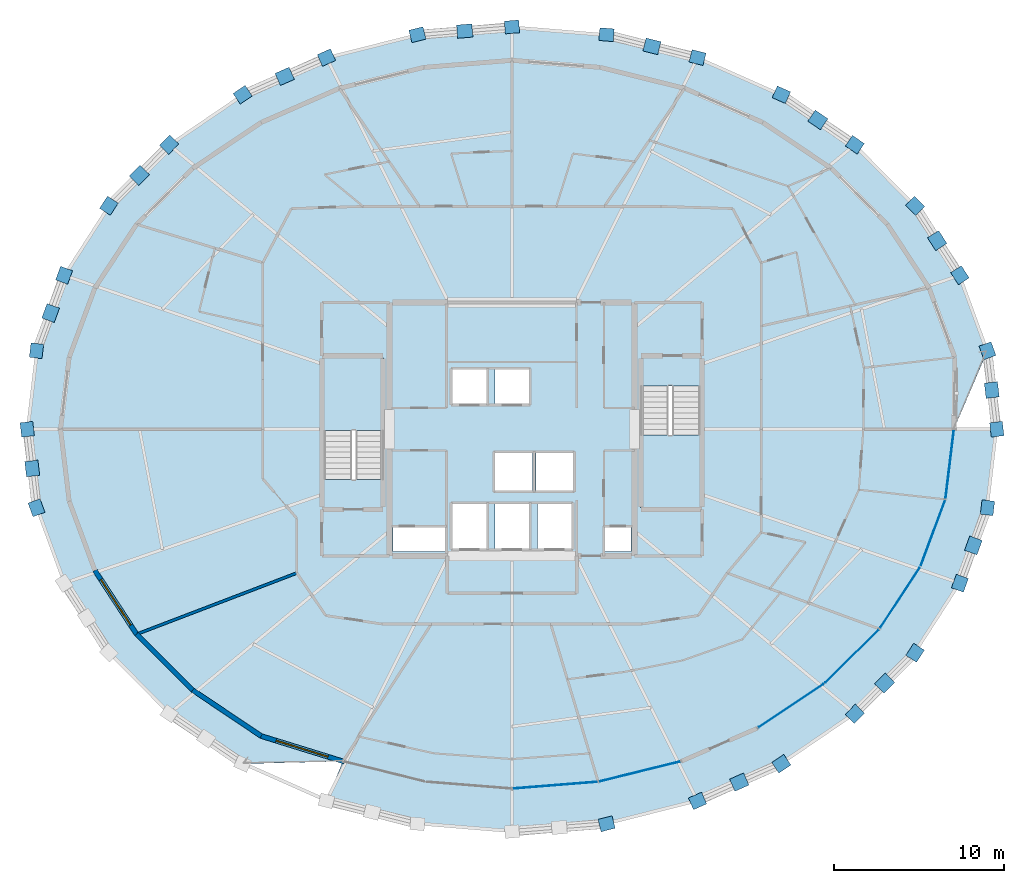
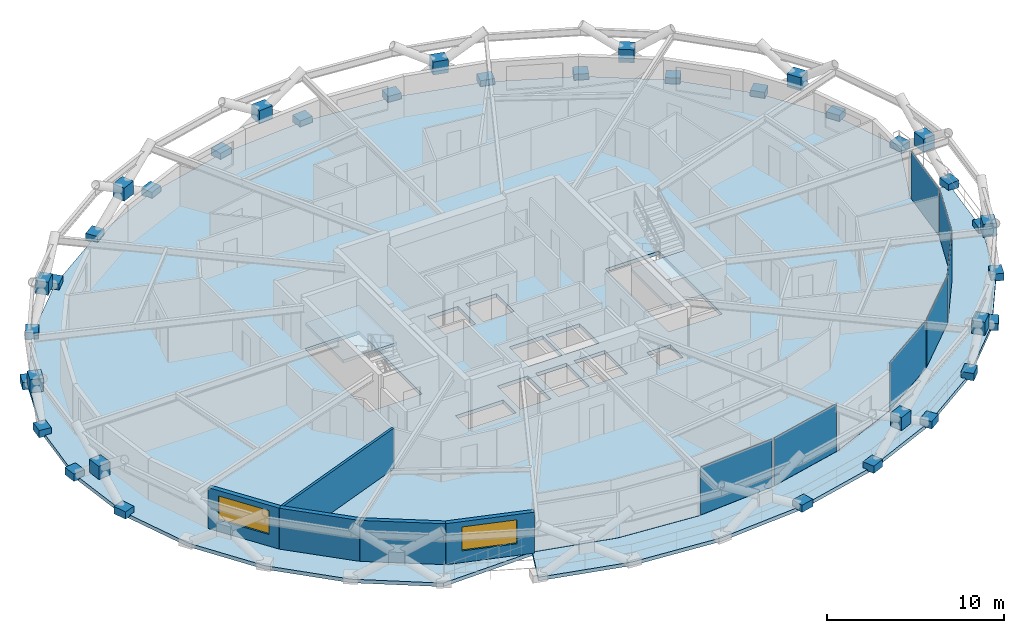
# One storey, part 13 of 21: 44 plates, 5 walls, 4 slabs, 2 windows, 2 openings, 4 elements without a shape of their own.
"""IFC4 building model written with IfcOpenShell, lengths in metres."""

from ifc_helpers import new_model, si_unit, direction, frame, frame_2d, origin, origin_2d, place, context, subcontext, project, spatial, polyline, rectangle, outline, extrude, material, layer, layer_set, type_object, element, fill, aggregate, save


model = new_model("IFC4")

# Units and contexts
model_context = context("Model", 3, precision=1e-05, world=origin(), true_north=direction((0.0, 1.0)))
body_context = subcontext(model_context, "Body", "Model", "MODEL_VIEW")
ifc_project = project(units=[si_unit("LENGTHUNIT", "METRE"), si_unit("AREAUNIT", "SQUARE_METRE"), si_unit("VOLUMEUNIT", "CUBIC_METRE"), si_unit("PLANEANGLEUNIT", "RADIAN"), si_unit("MASSUNIT", "GRAM", prefix="KILO")], contexts=[model_context])

# Site, building, storey
site_placement = place(None, origin())
site = spatial("IfcSite", under=ifc_project, at=site_placement, CompositionType="ELEMENT")
building_placement = place(site_placement, origin())
building = spatial("IfcBuilding", under=site, at=building_placement, Name="Veldorina Hangang Commons", CompositionType="ELEMENT")
storey_placement = place(building_placement, frame((0.0, 0.0, 135.199951171875)))
storey = spatial("IfcBuildingStorey", under=building, at=storey_placement, Name="L34", CompositionType="ELEMENT", Elevation=135.199951171875)

# Curtain wall, plates
ifc_material_1 = material(Name="Glass Low-E Triple IGU", Category="glass")
ifc_layer_1 = layer(ifc_material_1, 0.179931640625)
ifc_layer_set_1 = layer_set([ifc_layer_1], Name="Glass Low-E Triple IGU")
curtain_wall_type = type_object("IfcCurtainWallType", Name="CW-SYS-Z2", PredefinedType="NOTDEFINED", material=ifc_layer_set_1)
curtain_wall_1_placement = place(storey_placement, origin())
curtain_wall_1 = element("IfcCurtainWall", 1, at=curtain_wall_1_placement, inside=storey, type_object=curtain_wall_type, Name="L34 unitised curtain wall CW-L34-R1", PredefinedType="NOTDEFINED")
ifc_layer_2 = layer(ifc_material_1, 0.0400390625)
ifc_layer_set_2 = layer_set([ifc_layer_2], Name="Glass Low-E Triple IGU")
plate_type_1 = type_object("IfcPlateType", Name="CW-PNL-VIS", PredefinedType="CURTAIN_PANEL", material=ifc_layer_set_2)
plate_1_placement = place(storey_placement, frame((34.534423828125, 3.072021484375, 0.01513671875), z_axis=(0.0, 0.0, 1.0), x_axis=(0.996806812434, 0.079850977983, 0.0)))
plate_1 = element("IfcPlate", 2, at=plate_1_placement, type_object=plate_type_1, Name="CW-L34-R1 facet 3 glazed vision panel", PredefinedType="CURTAIN_PANEL", context=body_context, shape_type="SweptSolid", body=[
    extrude(rectangle(XDim=4.90478515625, YDim=0.0400390625, at=origin_2d()), origin(), (0.0, 0.0, 1.0), 3.280029296875),
])
plate_2_placement = place(storey_placement, frame((39.505615234375, 3.876220703125, 0.01513671875), z_axis=(0.0, 0.0, 1.0), x_axis=(0.970888136612, 0.239533350884, 0.0)))
plate_2 = element("IfcPlate", 3, at=plate_2_placement, type_object=plate_type_1, Name="CW-L34-R1 facet 4 glazed vision panel", PredefinedType="CURTAIN_PANEL", context=body_context, shape_type="SweptSolid", body=[
    extrude(rectangle(XDim=4.840087890625, YDim=0.0400390625, at=origin_2d()), origin(), (0.0, 0.0, 1.0), 3.280029296875),
])
aggregate(curtain_wall_1, [plate_1, plate_2])

curtain_wall_2_placement = place(storey_placement, origin())
curtain_wall_2 = element("IfcCurtainWall", 4, at=curtain_wall_2_placement, inside=storey, type_object=curtain_wall_type, Name="L34 unitised curtain wall CW-L34-R2", PredefinedType="NOTDEFINED")
plate_3_placement = place(storey_placement, frame((48.403076171875, 7.744140625, 0.01513671875), z_axis=(0.0, 0.0, 1.0), x_axis=(0.83175070515, 0.555149317285, 0.0)))
plate_3 = element("IfcPlate", 5, at=plate_3_placement, type_object=plate_type_1, Name="CW-L34-R2 facet 1 glazed vision panel", PredefinedType="CURTAIN_PANEL", context=body_context, shape_type="SweptSolid", body=[
    extrude(rectangle(XDim=4.5537109375, YDim=0.0400390625, at=origin_2d()), origin(), (0.0, 0.0, 1.0), 3.280029296875),
])
plate_4_placement = place(storey_placement, frame((51.987060546875, 10.6591796875, 0.01513671875), z_axis=(0.0, 0.0, 1.0), x_axis=(0.7102836677, 0.703915557009, 0.0)))
plate_4 = element("IfcPlate", 6, at=plate_4_placement, type_object=plate_type_1, Name="CW-L34-R2 facet 2 glazed vision panel", PredefinedType="CURTAIN_PANEL", context=body_context, shape_type="SweptSolid", body=[
    extrude(rectangle(XDim=4.368896484375, YDim=0.0400390625, at=origin_2d()), origin(), (0.0, 0.0, 1.0), 3.280029296875),
])
plate_5_placement = place(storey_placement, frame((54.80322265625, 14.0869140625, 0.01513671875), z_axis=(0.0, 0.0, 1.0), x_axis=(0.54919785704, 0.835692355968, 0.0)))
plate_5 = element("IfcPlate", 7, at=plate_5_placement, type_object=plate_type_1, Name="CW-L34-R2 facet 3 glazed vision panel", PredefinedType="CURTAIN_PANEL", context=body_context, shape_type="SweptSolid", body=[
    extrude(rectangle(XDim=4.191650390625, YDim=0.0400390625, at=origin_2d()), origin(), (0.0, 0.0, 1.0), 3.280029296875),
])
plate_6_placement = place(storey_placement, frame((56.742919921875, 17.8955078125, 0.01513671875), z_axis=(0.0, 0.0, 1.0), x_axis=(0.349471612705, 0.936946952561, 0.0)))
plate_6 = element("IfcPlate", 8, at=plate_6_placement, type_object=plate_type_1, Name="CW-L34-R2 facet 4 glazed vision panel", PredefinedType="CURTAIN_PANEL", context=body_context, shape_type="SweptSolid", body=[
    extrude(rectangle(XDim=4.05078125, YDim=0.0400390625, at=origin_2d()), origin(), (0.0, 0.0, 1.0), 3.280029296875),
])
plate_7_placement = place(storey_placement, frame((57.731689453125, 21.938720703125, 0.01513671875), z_axis=(0.0, 0.0, 1.0), x_axis=(0.120223472799, 0.992746854232, 0.0)))
plate_7 = element("IfcPlate", 9, at=plate_7_placement, type_object=plate_type_1, Name="CW-L34-R2 facet 5 glazed vision panel", PredefinedType="CURTAIN_PANEL", context=body_context, shape_type="SweptSolid", body=[
    extrude(rectangle(XDim=3.972412109375, YDim=0.0400390625, at=origin_2d()), origin(), (0.0, 0.0, 1.0), 3.280029296875),
])
aggregate(curtain_wall_2, [plate_3, plate_4, plate_5, plate_6, plate_7])

# Plates
ifc_material_2 = material(Name="Steel SM460-TMC", Category="steel")
ifc_layer_3 = layer(ifc_material_2, 0.035888671875)
ifc_layer_set_3 = layer_set([ifc_layer_3], Name="Steel SM460-TMC")
plate_type_2 = type_object("IfcPlateType", Name="PL-STAR-36", PredefinedType="USERDEFINED", material=ifc_layer_set_3)
plate_8_placement = place(storey_placement, frame((60.501220703125, 24.0, -0.08984375), z_axis=(0.0, 0.0, 1.0), x_axis=(-0.117849373309, 0.993031482487, 0.0)))
element("IfcPlate", 10, at=plate_8_placement, inside=storey, type_object=plate_type_2, Name="L34 diagrid star-node gusset plate 00", ObjectType="GUSSET PLATE", PredefinedType="USERDEFINED", context=body_context, shape_type="SweptSolid", body=[
    extrude(rectangle(XDim=0.85009765625, YDim=0.75, at=origin_2d()), origin(), (0.0, 0.0, 1.0), 0.5),
])
plate_9_placement = place(storey_placement, frame((60.206298828125, 26.3056640625, 1.351318359375), z_axis=(0.0, 0.0, 1.0), x_axis=(-0.117849373309, 0.993031482487, 0.0)))
element("IfcPlate", 11, at=plate_9_placement, inside=storey, type_object=plate_type_2, Name="L34 diagrid X-crossing star-node gusset plate 00", ObjectType="GUSSET PLATE", PredefinedType="USERDEFINED", context=body_context, shape_type="SweptSolid", body=[
    extrude(rectangle(XDim=0.89990234375, YDim=0.780029296875, at=origin_2d()), origin(), (0.0, 0.0, 1.0), 0.89990234375),
])
for number, where, z_axis, x_axis, name in (
    (12, (59.95361328125, 28.614013671875, -0.08984375), (0.0, 0.0, 1.0), (-0.343348260249, 0.939208162328, 0.0), "L34 diagrid star-node gusset plate 01"),
    (13, (58.331787109375, 33.05078125, -0.08984375), (0.0, 0.0, 1.0), (-0.541517477828, 0.840689491552, 0.0), "L34 diagrid star-node gusset plate 02"),
):
    element("IfcPlate", number, at=place(storey_placement, frame(where, z_axis=z_axis, x_axis=x_axis)), inside=storey, type_object=plate_type_2, Name=name, ObjectType="GUSSET PLATE", PredefinedType="USERDEFINED", context=body_context, shape_type="SweptSolid", body=[
        extrude(rectangle(XDim=0.85009765625, YDim=0.75, at=origin_2d()), origin(), (0.0, 0.0, 1.0), 0.5),
    ])
plate_10_placement = place(storey_placement, frame((56.99609375, 35.08837890625, 1.351318359375), z_axis=(0.0, 0.0, 1.0), x_axis=(-0.541517477828, 0.840689491552, 0.0)))
element("IfcPlate", 14, at=plate_10_placement, inside=storey, type_object=plate_type_2, Name="L34 diagrid X-crossing star-node gusset plate 02", ObjectType="GUSSET PLATE", PredefinedType="USERDEFINED", context=body_context, shape_type="SweptSolid", body=[
    extrude(rectangle(XDim=0.89990234375, YDim=0.780029296875, at=origin_2d()), origin(), (0.0, 0.0, 1.0), 0.89990234375),
])
for number, where, z_axis, x_axis, name in (
    (15, (55.697998046875, 37.1396484375, -0.08984375), (0.0, 0.0, 1.0), (-0.703183773403, 0.711008143992, 0.0), "L34 diagrid star-node gusset plate 03"),
    (16, (52.153564453125, 40.7236328125, -0.08984375), (0.0, 0.0, 1.0), (-0.826540631985, 0.562877059115, 0.0), "L34 diagrid star-node gusset plate 04"),
):
    element("IfcPlate", number, at=place(storey_placement, frame(where, z_axis=z_axis, x_axis=x_axis)), inside=storey, type_object=plate_type_2, Name=name, ObjectType="GUSSET PLATE", PredefinedType="USERDEFINED", context=body_context, shape_type="SweptSolid", body=[
        extrude(rectangle(XDim=0.85009765625, YDim=0.75, at=origin_2d()), origin(), (0.0, 0.0, 1.0), 0.5),
    ])
plate_11_placement = place(storey_placement, frame((49.98046875, 42.182861328125, 1.351318359375), z_axis=(0.0, 0.0, 1.0), x_axis=(-0.826540631985, 0.562877059115, 0.0)))
element("IfcPlate", 17, at=plate_11_placement, inside=storey, type_object=plate_type_2, Name="L34 diagrid X-crossing star-node gusset plate 04", ObjectType="GUSSET PLATE", PredefinedType="USERDEFINED", context=body_context, shape_type="SweptSolid", body=[
    extrude(rectangle(XDim=0.89990234375, YDim=0.780029296875, at=origin_2d()), origin(), (0.0, 0.0, 1.0), 0.89990234375),
])
for number, where, z_axis, x_axis, name in (
    (18, (47.83447265625, 43.6650390625, -0.08984375), (0.0, 0.0, 1.0), (-0.914112478445, 0.405460696925, 0.0), "L34 diagrid star-node gusset plate 05"),
    (19, (42.906982421875, 45.8505859375, -0.08984375), (0.0, 0.0, 1.0), (-0.96974858642, 0.2441058769, 0.0), "L34 diagrid star-node gusset plate 06"),
):
    element("IfcPlate", number, at=place(storey_placement, frame(where, z_axis=z_axis, x_axis=x_axis)), inside=storey, type_object=plate_type_2, Name=name, ObjectType="GUSSET PLATE", PredefinedType="USERDEFINED", context=body_context, shape_type="SweptSolid", body=[
        extrude(rectangle(XDim=0.85009765625, YDim=0.75, at=origin_2d()), origin(), (0.0, 0.0, 1.0), 0.5),
    ])
plate_12_placement = place(storey_placement, frame((40.227294921875, 46.50927734375, 1.3515625), z_axis=(0.0, 0.0, 1.0), x_axis=(-0.96974858642, 0.2441058769, 0.0)))
element("IfcPlate", 20, at=plate_12_placement, inside=storey, type_object=plate_type_2, Name="L34 diagrid X-crossing star-node gusset plate 06", ObjectType="GUSSET PLATE", PredefinedType="USERDEFINED", context=body_context, shape_type="SweptSolid", body=[
    extrude(rectangle(XDim=0.89990234375, YDim=0.780029296875, at=origin_2d()), origin(), (0.0, 0.0, 1.0), 0.89990234375),
])
for number, where, z_axis, x_axis, name in (
    (21, (37.560302734375, 47.196533203125, -0.08984375), (0.0, 0.0, 1.0), (-0.996677310517, 0.081451449957, 0.0), "L34 diagrid star-node gusset plate 07"),
    (22, (32.0, 47.65087890625, -0.08984375), (0.0, 0.0, 1.0), (-0.996677310517, -0.081451449957, 0.0), "L34 diagrid star-node gusset plate 08"),
):
    element("IfcPlate", number, at=place(storey_placement, frame(where, z_axis=z_axis, x_axis=x_axis)), inside=storey, type_object=plate_type_2, Name=name, ObjectType="GUSSET PLATE", PredefinedType="USERDEFINED", context=body_context, shape_type="SweptSolid", body=[
        extrude(rectangle(XDim=0.85009765625, YDim=0.75, at=origin_2d()), origin(), (0.0, 0.0, 1.0), 0.5),
    ])
plate_13_placement = place(storey_placement, frame((29.221923828125, 47.40869140625, 1.3515625), z_axis=(0.0, 0.0, 1.0), x_axis=(-0.996677310517, -0.081451449957, 0.0)))
element("IfcPlate", 23, at=plate_13_placement, inside=storey, type_object=plate_type_2, Name="L34 diagrid X-crossing star-node gusset plate 08", ObjectType="GUSSET PLATE", PredefinedType="USERDEFINED", context=body_context, shape_type="SweptSolid", body=[
    extrude(rectangle(XDim=0.89990234375, YDim=0.780029296875, at=origin_2d()), origin(), (0.0, 0.0, 1.0), 0.89990234375),
])
for number, where, z_axis, x_axis, name in (
    (24, (26.439697265625, 47.196533203125, -0.08984375), (0.0, 0.0, 1.0), (-0.96974858642, -0.2441058769, 0.0), "L34 diagrid star-node gusset plate 09"),
    (25, (21.093017578125, 45.8505859375, -0.08984375), (0.0, 0.0, 1.0), (-0.914112478445, -0.405460696925, 0.0), "L34 diagrid star-node gusset plate 10"),
):
    element("IfcPlate", number, at=place(storey_placement, frame(where, z_axis=z_axis, x_axis=x_axis)), inside=storey, type_object=plate_type_2, Name=name, ObjectType="GUSSET PLATE", PredefinedType="USERDEFINED", context=body_context, shape_type="SweptSolid", body=[
        extrude(rectangle(XDim=0.85009765625, YDim=0.75, at=origin_2d()), origin(), (0.0, 0.0, 1.0), 0.5),
    ])
plate_14_placement = place(storey_placement, frame((18.639404296875, 44.744384765625, 1.351318359375), z_axis=(0.0, 0.0, 1.0), x_axis=(-0.914112478445, -0.405460696925, 0.0)))
element("IfcPlate", 26, at=plate_14_placement, inside=storey, type_object=plate_type_2, Name="L34 diagrid X-crossing star-node gusset plate 10", ObjectType="GUSSET PLATE", PredefinedType="USERDEFINED", context=body_context, shape_type="SweptSolid", body=[
    extrude(rectangle(XDim=0.89990234375, YDim=0.780029296875, at=origin_2d()), origin(), (0.0, 0.0, 1.0), 0.89990234375),
])
for number, where, z_axis, x_axis, name in (
    (27, (16.16552734375, 43.6650390625, -0.08984375), (0.0, 0.0, 1.0), (-0.826540631985, -0.562877059115, 0.0), "L34 diagrid star-node gusset plate 11"),
    (28, (11.846435546875, 40.7236328125, -0.08984375), (0.0, 0.0, 1.0), (-0.703183773403, -0.711008143992, 0.0), "L34 diagrid star-node gusset plate 12"),
):
    element("IfcPlate", number, at=place(storey_placement, frame(where, z_axis=z_axis, x_axis=x_axis)), inside=storey, type_object=plate_type_2, Name=name, ObjectType="GUSSET PLATE", PredefinedType="USERDEFINED", context=body_context, shape_type="SweptSolid", body=[
        extrude(rectangle(XDim=0.85009765625, YDim=0.75, at=origin_2d()), origin(), (0.0, 0.0, 1.0), 0.5),
    ])
plate_15_placement = place(storey_placement, frame((10.0908203125, 38.922119140625, 1.351318359375), z_axis=(0.0, 0.0, 1.0), x_axis=(-0.703183773403, -0.711008143992, 0.0)))
element("IfcPlate", 29, at=plate_15_placement, inside=storey, type_object=plate_type_2, Name="L34 diagrid X-crossing star-node gusset plate 12", ObjectType="GUSSET PLATE", PredefinedType="USERDEFINED", context=body_context, shape_type="SweptSolid", body=[
    extrude(rectangle(XDim=0.89990234375, YDim=0.780029296875, at=origin_2d()), origin(), (0.0, 0.0, 1.0), 0.89990234375),
])
for number, where, z_axis, x_axis, name in (
    (30, (8.302001953125, 37.1396484375, -0.08984375), (0.0, 0.0, 1.0), (-0.541517477828, -0.840689491552, 0.0), "L34 diagrid star-node gusset plate 13"),
    (31, (5.668212890625, 33.05078125, -0.08984375), (0.0, 0.0, 1.0), (-0.343348260249, -0.939208162328, 0.0), "L34 diagrid star-node gusset plate 14"),
):
    element("IfcPlate", number, at=place(storey_placement, frame(where, z_axis=z_axis, x_axis=x_axis)), inside=storey, type_object=plate_type_2, Name=name, ObjectType="GUSSET PLATE", PredefinedType="USERDEFINED", context=body_context, shape_type="SweptSolid", body=[
        extrude(rectangle(XDim=0.85009765625, YDim=0.75, at=origin_2d()), origin(), (0.0, 0.0, 1.0), 0.5),
    ])
plate_16_placement = place(storey_placement, frame((4.877685546875, 30.828125, 1.351318359375), z_axis=(0.0, 0.0, 1.0), x_axis=(-0.343348260249, -0.939208162328, 0.0)))
element("IfcPlate", 32, at=plate_16_placement, inside=storey, type_object=plate_type_2, Name="L34 diagrid X-crossing star-node gusset plate 14", ObjectType="GUSSET PLATE", PredefinedType="USERDEFINED", context=body_context, shape_type="SweptSolid", body=[
    extrude(rectangle(XDim=0.89990234375, YDim=0.780029296875, at=origin_2d()), origin(), (0.0, 0.0, 1.0), 0.89990234375),
])
for number, where, z_axis, x_axis, name in (
    (33, (4.04638671875, 28.614013671875, -0.08984375), (0.0, 0.0, 1.0), (-0.117849373309, -0.993031482487, 0.0), "L34 diagrid star-node gusset plate 15"),
    (34, (3.498779296875, 24.0, -0.08984375), (0.0, 0.0, 1.0), (0.117849373309, -0.993031482487, 0.0), "L34 diagrid star-node gusset plate 16"),
):
    element("IfcPlate", number, at=place(storey_placement, frame(where, z_axis=z_axis, x_axis=x_axis)), inside=storey, type_object=plate_type_2, Name=name, ObjectType="GUSSET PLATE", PredefinedType="USERDEFINED", context=body_context, shape_type="SweptSolid", body=[
        extrude(rectangle(XDim=0.85009765625, YDim=0.75, at=origin_2d()), origin(), (0.0, 0.0, 1.0), 0.5),
    ])
plate_17_placement = place(storey_placement, frame((3.793701171875, 21.6943359375, 1.351318359375), z_axis=(0.0, 0.0, 1.0), x_axis=(0.117849373309, -0.993031482487, 0.0)))
element("IfcPlate", 35, at=plate_17_placement, inside=storey, type_object=plate_type_2, Name="L34 diagrid X-crossing star-node gusset plate 16", ObjectType="GUSSET PLATE", PredefinedType="USERDEFINED", context=body_context, shape_type="SweptSolid", body=[
    extrude(rectangle(XDim=0.89990234375, YDim=0.780029296875, at=origin_2d()), origin(), (0.0, 0.0, 1.0), 0.89990234375),
])
for number, where, z_axis, x_axis, name in (
    (36, (4.04638671875, 19.385986328125, -0.08984375), (0.0, 0.0, 1.0), (0.343348260249, -0.939208162328, 0.0), "L34 diagrid star-node gusset plate 17"),
    (37, (37.560302734375, 0.803466796875, -0.08984375), (0.0, 0.0, 1.0), (0.96974858642, 0.2441058769, 0.0), "L34 diagrid star-node gusset plate 25"),
    (38, (42.906982421875, 2.1494140625, -0.08984375), (0.0, 0.0, 1.0), (0.914112478445, 0.405460696925, 0.0), "L34 diagrid star-node gusset plate 26"),
):
    element("IfcPlate", number, at=place(storey_placement, frame(where, z_axis=z_axis, x_axis=x_axis)), inside=storey, type_object=plate_type_2, Name=name, ObjectType="GUSSET PLATE", PredefinedType="USERDEFINED", context=body_context, shape_type="SweptSolid", body=[
        extrude(rectangle(XDim=0.85009765625, YDim=0.75, at=origin_2d()), origin(), (0.0, 0.0, 1.0), 0.5),
    ])
plate_18_placement = place(storey_placement, frame((45.360595703125, 3.255615234375, 1.351318359375), z_axis=(0.0, 0.0, 1.0), x_axis=(0.914112478445, 0.405460696925, 0.0)))
element("IfcPlate", 39, at=plate_18_placement, inside=storey, type_object=plate_type_2, Name="L34 diagrid X-crossing star-node gusset plate 26", ObjectType="GUSSET PLATE", PredefinedType="USERDEFINED", context=body_context, shape_type="SweptSolid", body=[
    extrude(rectangle(XDim=0.89990234375, YDim=0.780029296875, at=origin_2d()), origin(), (0.0, 0.0, 1.0), 0.89990234375),
])
for number, where, z_axis, x_axis, name in (
    (40, (47.83447265625, 4.3349609375, -0.08984375), (0.0, 0.0, 1.0), (0.826540631985, 0.562877059115, 0.0), "L34 diagrid star-node gusset plate 27"),
    (41, (52.153564453125, 7.2763671875, -0.08984375), (0.0, 0.0, 1.0), (0.703183773403, 0.711008143992, 0.0), "L34 diagrid star-node gusset plate 28"),
):
    element("IfcPlate", number, at=place(storey_placement, frame(where, z_axis=z_axis, x_axis=x_axis)), inside=storey, type_object=plate_type_2, Name=name, ObjectType="GUSSET PLATE", PredefinedType="USERDEFINED", context=body_context, shape_type="SweptSolid", body=[
        extrude(rectangle(XDim=0.85009765625, YDim=0.75, at=origin_2d()), origin(), (0.0, 0.0, 1.0), 0.5),
    ])
plate_19_placement = place(storey_placement, frame((53.9091796875, 9.077880859375, 1.351318359375), z_axis=(0.0, 0.0, 1.0), x_axis=(0.703183773403, 0.711008143992, 0.0)))
element("IfcPlate", 42, at=plate_19_placement, inside=storey, type_object=plate_type_2, Name="L34 diagrid X-crossing star-node gusset plate 28", ObjectType="GUSSET PLATE", PredefinedType="USERDEFINED", context=body_context, shape_type="SweptSolid", body=[
    extrude(rectangle(XDim=0.89990234375, YDim=0.780029296875, at=origin_2d()), origin(), (0.0, 0.0, 1.0), 0.89990234375),
])
for number, where, z_axis, x_axis, name in (
    (43, (55.697998046875, 10.8603515625, -0.08984375), (0.0, 0.0, 1.0), (0.541517477828, 0.840689491552, 0.0), "L34 diagrid star-node gusset plate 29"),
    (44, (58.331787109375, 14.94921875, -0.08984375), (0.0, 0.0, 1.0), (0.343348260249, 0.939208162328, 0.0), "L34 diagrid star-node gusset plate 30"),
):
    element("IfcPlate", number, at=place(storey_placement, frame(where, z_axis=z_axis, x_axis=x_axis)), inside=storey, type_object=plate_type_2, Name=name, ObjectType="GUSSET PLATE", PredefinedType="USERDEFINED", context=body_context, shape_type="SweptSolid", body=[
        extrude(rectangle(XDim=0.85009765625, YDim=0.75, at=origin_2d()), origin(), (0.0, 0.0, 1.0), 0.5),
    ])
plate_20_placement = place(storey_placement, frame((59.122314453125, 17.171875, 1.351318359375), z_axis=(0.0, 0.0, 1.0), x_axis=(0.343348260249, 0.939208162328, 0.0)))
element("IfcPlate", 45, at=plate_20_placement, inside=storey, type_object=plate_type_2, Name="L34 diagrid X-crossing star-node gusset plate 30", ObjectType="GUSSET PLATE", PredefinedType="USERDEFINED", context=body_context, shape_type="SweptSolid", body=[
    extrude(rectangle(XDim=0.89990234375, YDim=0.780029296875, at=origin_2d()), origin(), (0.0, 0.0, 1.0), 0.89990234375),
])
plate_21_placement = place(storey_placement, frame((59.95361328125, 19.385986328125, -0.08984375), z_axis=(0.0, 0.0, 1.0), x_axis=(0.117849373309, 0.993031482487, 0.0)))
element("IfcPlate", 46, at=plate_21_placement, inside=storey, type_object=plate_type_2, Name="L34 diagrid star-node gusset plate 31", ObjectType="GUSSET PLATE", PredefinedType="USERDEFINED", context=body_context, shape_type="SweptSolid", body=[
    extrude(rectangle(XDim=0.85009765625, YDim=0.75, at=origin_2d()), origin(), (0.0, 0.0, 1.0), 0.5),
])

# Slabs
ifc_material_3 = material(Name="Concrete C40/50", Category="concrete")
ifc_layer_4 = layer(ifc_material_3, 0.25)
ifc_layer_set_4 = layer_set([ifc_layer_4], Name="Concrete C40/50")
slab_type_1 = type_object("IfcSlabType", Name="SL-FLR-250", PredefinedType="FLOOR", material=ifc_layer_set_4)
slab_1_placement = place(storey_placement, frame((0.0, 0.0, -0.25)))
element("IfcSlab", 47, at=slab_1_placement, inside=storey, type_object=slab_type_1, Name="L34 tower structural floor slab", PredefinedType="FLOOR", context=body_context, shape_type="SweptSolid", body=[
    extrude(outline(polyline([(57.981201171875, 24.0), (59.95361328125, 28.614013671875), (58.331787109375, 33.05078125), (55.697998046875, 37.1396484375), (52.153564453125, 40.7236328125), (47.83447265625, 43.6650390625), (42.906982421875, 45.8505859375), (37.560302734375, 47.196533203125), (32.0, 47.65087890625), (26.439697265625, 47.196533203125), (21.093017578125, 45.8505859375), (16.16552734375, 43.6650390625), (11.846435546875, 40.7236328125), (8.302001953125, 37.1396484375), (5.668212890625, 33.05078125), (4.04638671875, 28.614013671875), (3.498779296875, 24.0), (4.04638671875, 19.385986328125), (5.668212890625, 14.94921875), (8.302001953125, 10.8603515625), (11.846435546875, 7.2763671875), (16.16552734375, 4.3349609375), (22.057373046875, 4.4775390625), (26.931396484375, 3.275146484375), (32.0, 2.869140625), (37.068603515625, 3.275146484375), (41.942626953125, 4.4775390625), (46.434326171875, 6.430419921875), (50.37158203125, 9.05810546875), (53.602783203125, 12.26025390625), (56.003662109375, 15.91357421875), (57.482177734375, 19.877685546875), (57.981201171875, 24.0)]), holes=[polyline([(20.949951171875, 21.05810546875), (20.949951171875, 28.199951171875), (24.449951171875, 28.199951171875), (24.449951171875, 21.05810546875), (20.949951171875, 21.05810546875)]), polyline([(43.050048828125, 26.5419921875), (43.050048828125, 19.39990234375), (39.550048828125, 19.39990234375), (39.550048828125, 26.5419921875), (43.050048828125, 26.5419921875)]), polyline([(28.5, 27.5), (30.5, 27.5), (30.5, 25.5), (28.5, 25.5), (28.5, 27.5)]), polyline([(31.0, 27.5), (33.0, 27.5), (33.0, 25.5), (31.0, 25.5), (31.0, 27.5)]), polyline([(31.0, 22.60009765625), (33.199951171875, 22.60009765625), (33.199951171875, 20.39990234375), (31.0, 20.39990234375), (31.0, 22.60009765625)]), polyline([(33.39990234375, 22.60009765625), (35.60009765625, 22.60009765625), (35.60009765625, 20.39990234375), (33.39990234375, 20.39990234375), (33.39990234375, 22.60009765625)]), polyline([(28.5, 19.60009765625), (30.5, 19.60009765625), (30.5, 17.0), (28.5, 17.0), (28.5, 19.60009765625)]), polyline([(31.0, 19.60009765625), (33.0, 19.60009765625), (33.0, 17.0), (31.0, 17.0), (31.0, 19.60009765625)]), polyline([(33.5, 19.60009765625), (35.5, 19.60009765625), (35.5, 17.0), (33.5, 17.0), (33.5, 19.60009765625)]), polyline([(25.0, 18.25), (28.10009765625, 18.25), (28.10009765625, 16.800048828125), (25.0, 16.800048828125), (25.0, 18.25)]), polyline([(37.449951171875, 18.25), (39.0, 18.25), (39.0, 16.800048828125), (37.449951171875, 16.800048828125), (37.449951171875, 18.25)])]), origin(), (0.0, 0.0, 1.0), 0.25),
])
slab_2_placement = place(storey_placement, frame((0.0, 0.0, -0.25)))
element("IfcSlab", 48, at=slab_2_placement, inside=storey, type_object=slab_type_1, Name="L34 sky-garden loggia outdoor slab", PredefinedType="FLOOR", context=body_context, shape_type="SweptSolid", body=[
    extrude(outline(polyline([(60.501220703125, 24.0), (59.95361328125, 19.385986328125), (58.331787109375, 14.94921875), (55.697998046875, 10.8603515625), (52.153564453125, 7.2763671875), (47.83447265625, 4.3349609375), (42.906982421875, 2.1494140625), (37.560302734375, 0.803466796875), (32.0, 0.34912109375), (26.439697265625, 0.803466796875), (21.093017578125, 2.1494140625), (22.051025390625, 4.46240234375), (22.055908203125, 4.462646484375), (26.927734375, 3.260498046875), (26.928955078125, 3.26025390625), (26.93017578125, 3.260009765625), (31.998779296875, 2.85400390625), (32.0, 2.85400390625), (32.001220703125, 2.85400390625), (37.06982421875, 3.260009765625), (37.071044921875, 3.26025390625), (37.072265625, 3.260498046875), (41.9462890625, 4.462890625), (41.947509765625, 4.46337890625), (41.948486328125, 4.4638671875), (46.4404296875, 6.41650390625), (46.441650390625, 6.4169921875), (46.442626953125, 6.417724609375), (50.3798828125, 9.045654296875), (50.381103515625, 9.046630859375), (50.382080078125, 9.047607421875), (53.61328125, 12.24951171875), (53.6142578125, 12.250732421875), (53.615234375, 12.252197265625), (56.01611328125, 15.905517578125), (56.01708984375, 15.90673828125), (56.017578125, 15.908447265625), (57.49609375, 19.872314453125), (57.49658203125, 19.8740234375), (57.4970703125, 19.875732421875), (57.995849609375, 23.99609375), (57.99755859375, 24.0), (60.501220703125, 24.0)])), origin(), (0.0, 0.0, 1.0), 0.25),
])

# Stair, slab
stair_type = type_object("IfcStairType", Name="STR-DOG-1650-20R", PredefinedType="HALF_TURN_STAIR", material=ifc_material_3)
stair_1_placement = place(storey_placement, origin())
stair_1 = element("IfcStair", 49, at=stair_1_placement, inside=storey, type_object=stair_type, Name="L34 Exit stair ST-1", PredefinedType="HALF_TURN_STAIR")
ifc_layer_5 = layer(ifc_material_3, 0.199951171875)
ifc_layer_set_5 = layer_set([ifc_layer_5], Name="Concrete C40/50")
slab_type_2 = type_object("IfcSlabType", Name="SL-LND-200", PredefinedType="LANDING", material=ifc_layer_set_5)
slab_3_placement = place(storey_placement, frame((0.0, 0.0, 1.60009765625)))
slab_3 = element("IfcSlab", 50, at=slab_3_placement, type_object=slab_type_2, Name="ST-1 landing 1", PredefinedType="LANDING", context=body_context, shape_type="SweptSolid", body=[
    extrude(outline(polyline([(24.449951171875, 23.929931640625), (24.449951171875, 28.199951171875), (20.949951171875, 28.199951171875), (20.949951171875, 23.929931640625), (24.449951171875, 23.929931640625)])), origin(), (0.0, 0.0, 1.0), 0.199951171875),
])
aggregate(stair_1, [slab_3])

stair_2_placement = place(storey_placement, origin())
stair_2 = element("IfcStair", 51, at=stair_2_placement, inside=storey, type_object=stair_type, Name="L34 Exit stair ST-2", PredefinedType="HALF_TURN_STAIR")
slab_4_placement = place(storey_placement, frame((0.0, 0.0, 1.60009765625)))
slab_4 = element("IfcSlab", 52, at=slab_4_placement, type_object=slab_type_2, Name="ST-2 landing 1", PredefinedType="LANDING", context=body_context, shape_type="SweptSolid", body=[
    extrude(outline(polyline([(39.550048828125, 23.669921875), (39.550048828125, 19.39990234375), (43.050048828125, 19.39990234375), (43.050048828125, 23.669921875), (39.550048828125, 23.669921875)])), origin(), (0.0, 0.0, 1.0), 0.199951171875),
])
aggregate(stair_2, [slab_4])

# Wall, opening, window
ifc_material_4 = material(Name="Stone Roman Travertine", Category="masonry")
ifc_layer_6 = layer(ifc_material_4, 0.280029296875)
ifc_layer_set_6 = layer_set([ifc_layer_6], Name="Stone Roman Travertine")
wall_type_1 = type_object("IfcWallType", Name="EW-TRAV-280", PredefinedType="STANDARD", material=ifc_layer_set_6)
wall_1_placement = place(storey_placement, frame((7.47900390625, 15.69921875, 0.0), z_axis=(0.0, 0.0, 1.0), x_axis=(0.547360926274, -0.83689665813, 0.0)))
wall_1 = element("IfcWall", 53, at=wall_1_placement, inside=storey, type_object=wall_type_1, Name="L34 travertine facade wall 18", PredefinedType="STANDARD", context=body_context, shape_type="SweptSolid", body=[
    extrude(rectangle(XDim=4.48095703125, YDim=0.280029296875, at=frame_2d((2.240478515625, 0.0))), origin(), (0.0, 0.0, 1.0), 2.820068359375),
])
opening_1_placement = place(wall_1_placement, frame((0.640380859375, 0.0, 0.800048828125)))
opening_1 = element("IfcOpeningElement", 54, at=opening_1_placement, cuts=wall_1, Name="Opening W-01", PredefinedType="OPENING", context=body_context, shape_type="SweptSolid", body=[
    extrude(rectangle(XDim=3.199951171875, YDim=1.64990234375, at=frame_2d((1.60009765625, 0.824951171875))), frame((0.0, 0.14990234375, 0.0), z_axis=(0.0, -1.0, 0.0), x_axis=(1.0, 0.0, 0.0)), (0.0, 0.0, 1.0), 0.300048828125),
])
window_type = type_object("IfcWindowType", Name="WIN-TWR-3200", PartitioningType="SINGLE_PANEL", PredefinedType="WINDOW", material=ifc_material_1)
window_1_placement = place(opening_1_placement, origin())
window_1 = element("IfcWindow", 55, at=window_1_placement, inside=storey, type_object=window_type, Name="L34 facade window 18", OverallHeight=1.64990234375, OverallWidth=3.199951171875, PartitioningType="SINGLE_PANEL", PredefinedType="WINDOW", context=body_context, shape_type="SweptSolid", body=[
    extrude(rectangle(XDim=3.199951171875, YDim=1.64990234375, at=frame_2d((1.60009765625, 0.824951171875))), frame((0.0, 0.030029296875, 0.0), z_axis=(0.0, -1.0, 0.0), x_axis=(1.0, 0.0, 0.0)), (0.0, 0.0, 1.0), 0.06005859375),
])
fill(opening_1, window_1)

# Walls
wall_2_placement = place(storey_placement, frame((9.931640625, 11.94921875, 0.0), z_axis=(0.0, 0.0, 1.0), x_axis=(0.708572716766, -0.705637800188, 0.0)))
element("IfcWall", 56, at=wall_2_placement, inside=storey, type_object=wall_type_1, Name="L34 travertine facade wall 19", PredefinedType="STANDARD", context=body_context, shape_type="SweptSolid", body=[
    extrude(rectangle(XDim=4.658447265625, YDim=0.280029296875, at=frame_2d((2.3291015625, 0.0))), origin(), (0.0, 0.0, 1.0), 2.820068359375),
])
wall_3_placement = place(storey_placement, frame((13.232421875, 8.662109375, 0.0), z_axis=(0.0, 0.0, 1.0), x_axis=(0.830503660309, -0.557013168797, 0.0)))
element("IfcWall", 57, at=wall_3_placement, inside=storey, type_object=wall_type_1, Name="L34 travertine facade wall 20", PredefinedType="STANDARD", context=body_context, shape_type="SweptSolid", body=[
    extrude(rectangle(XDim=4.8427734375, YDim=0.280029296875, at=frame_2d((2.42138671875, 0.0))), origin(), (0.0, 0.0, 1.0), 2.820068359375),
])

# Wall, opening, window
wall_4_placement = place(storey_placement, frame((17.25439453125, 5.964599609375, 0.0), z_axis=(0.0, 0.0, 1.0), x_axis=(0.955268250821, -0.295740712404, 0.0)))
wall_4 = element("IfcWall", 58, at=wall_4_placement, inside=storey, type_object=wall_type_1, Name="L34 travertine facade wall 21", PredefinedType="STANDARD", context=body_context, shape_type="SweptSolid", body=[
    extrude(rectangle(XDim=5.119873046875, YDim=0.280029296875, at=frame_2d((2.56005859375, 0.0))), origin(), (0.0, 0.0, 1.0), 2.820068359375),
])
opening_2_placement = place(wall_4_placement, frame((0.9140625, 0.0, 0.800048828125)))
opening_2 = element("IfcOpeningElement", 59, at=opening_2_placement, cuts=wall_4, Name="Opening W-01", PredefinedType="OPENING", context=body_context, shape_type="SweptSolid", body=[
    extrude(rectangle(XDim=3.199951171875, YDim=1.64990234375, at=frame_2d((1.60009765625, 0.824951171875))), frame((0.0, 0.14990234375, 0.0), z_axis=(0.0, -1.0, 0.0), x_axis=(1.0, 0.0, 0.0)), (0.0, 0.0, 1.0), 0.300048828125),
])
window_2_placement = place(opening_2_placement, origin())
window_2 = element("IfcWindow", 60, at=window_2_placement, inside=storey, type_object=window_type, Name="L34 facade window 21", OverallHeight=1.64990234375, OverallWidth=3.199951171875, PartitioningType="SINGLE_PANEL", PredefinedType="WINDOW", context=body_context, shape_type="SweptSolid", body=[
    extrude(rectangle(XDim=3.199951171875, YDim=1.64990234375, at=frame_2d((1.60009765625, 0.824951171875))), frame((0.0, 0.030029296875, 0.0), z_axis=(0.0, -1.0, 0.0), x_axis=(1.0, 0.0, 0.0)), (0.0, 0.0, 1.0), 0.06005859375),
])
fill(opening_2, window_2)

# Wall
ifc_material_5 = material(Name="Gypsum Fire-Rated Twin Stud Wall", Category="gypsum")
ifc_layer_7 = layer(ifc_material_5, 0.159912109375)
ifc_layer_set_7 = layer_set([ifc_layer_7], Name="Gypsum Fire-Rated Twin Stud Wall")
wall_type_2 = type_object("IfcWallType", Name="WL-FIRE-160", PredefinedType="SOLIDWALL", material=ifc_layer_set_7)
wall_5_placement = place(storey_placement, frame((19.35009765625, 15.547607421875, 0.0), z_axis=(0.0, 0.0, 1.0), x_axis=(-0.93414110303, -0.356903908118, 0.0)))
element("IfcWall", 61, at=wall_5_placement, inside=storey, type_object=wall_type_2, Name="L34 Unit party wall 19 110", PredefinedType="SOLIDWALL", context=body_context, shape_type="SweptSolid", body=[
    extrude(rectangle(XDim=10.0322265625, YDim=0.159912109375, at=frame_2d((5.01611328125, 0.0))), origin(), (0.0, 0.0, 1.0), 2.800048828125),
])

save(model, "model.ifc")
